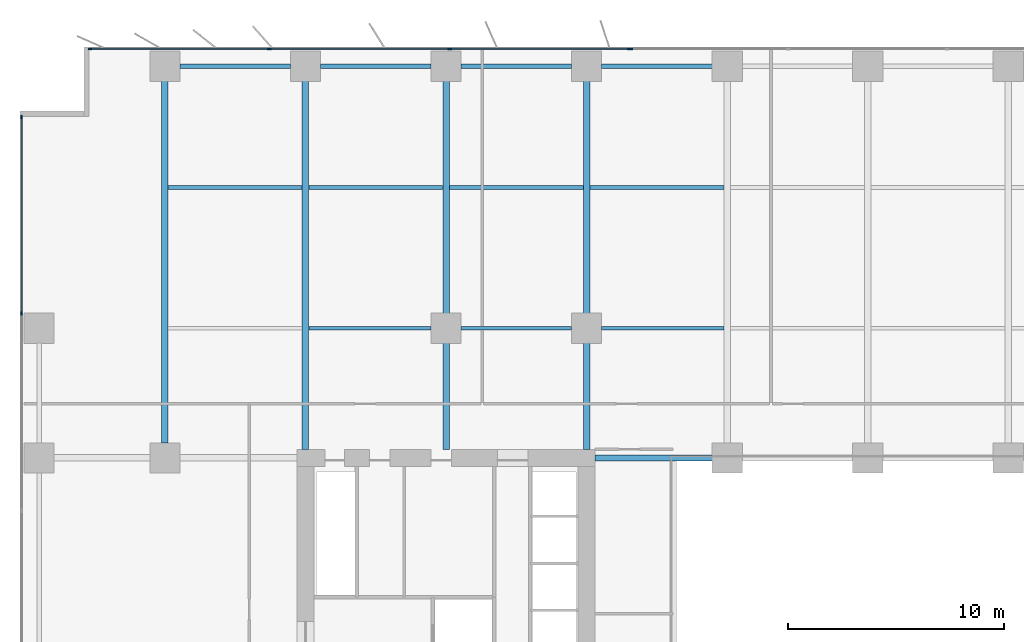
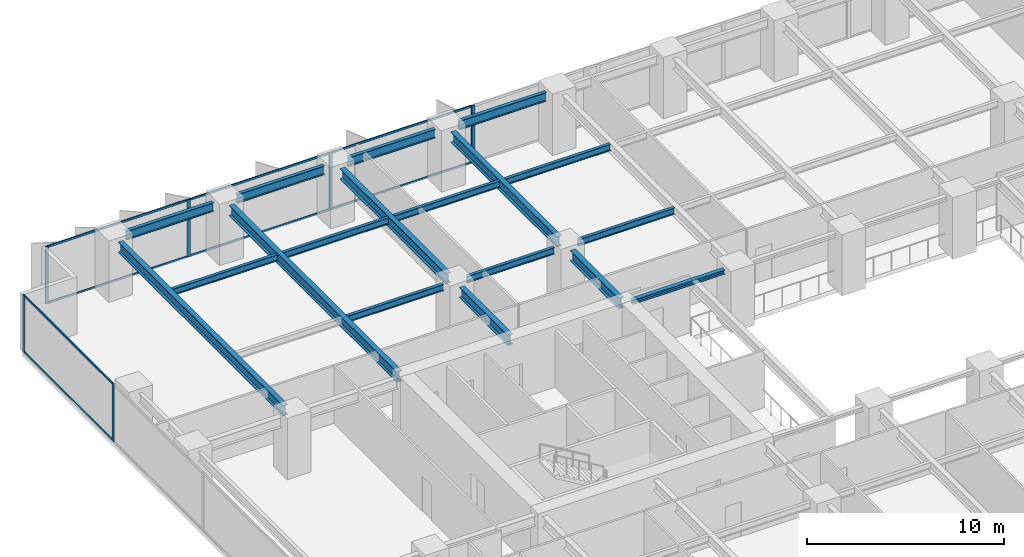
# One storey, part 7 of 20: 18 beams, 15 members, 3 elements without a shape of their own.
"""IFC4 building model written with IfcOpenShell, lengths in metres."""

from ifc_helpers import new_model, si_unit, direction, frame, origin, origin_2d, place, context, subcontext, project, spatial, rectangle, i_section, extrude, material, layer, layer_set, material_profile, profile_set, type_object, element, aggregate, save


model = new_model("IFC4")

# Units and contexts
model_context = context("Model", 3, precision=1e-05, world=origin(), true_north=direction((0.0, 1.0)))
body_context = subcontext(model_context, "Body", "Model", "MODEL_VIEW")
ifc_project = project(units=[si_unit("LENGTHUNIT", "METRE"), si_unit("AREAUNIT", "SQUARE_METRE"), si_unit("VOLUMEUNIT", "CUBIC_METRE"), si_unit("PLANEANGLEUNIT", "RADIAN"), si_unit("MASSUNIT", "GRAM", prefix="KILO")], contexts=[model_context])

# Site, building, storey
site_placement = place(None, origin())
site = spatial("IfcSite", under=ifc_project, at=site_placement, CompositionType="ELEMENT")
building_placement = place(site_placement, origin())
building = spatial("IfcBuilding", under=site, at=building_placement, Name="Putna Gate Headquarters", CompositionType="ELEMENT")
storey_placement = place(building_placement, frame((0.0, 0.0, 62.0)))
storey = spatial("IfcBuildingStorey", under=building, at=storey_placement, Name="L14", CompositionType="ELEMENT", Elevation=62.0)

# Beams
ifc_material_1 = material(Name="Steel S355J2", Category="steel")
ifc_material_profile_1 = material_profile(ifc_material_1, i_section(OverallWidth=0.260009765625, OverallDepth=0.260009765625, WebThickness=0.010009765625, FlangeThickness=0.017578125, at=origin_2d()), Name="Steel S355J2")
ifc_profile_set_1 = profile_set([ifc_material_profile_1], Name="Steel S355J2")
beam_type_1 = type_object("IfcBeamType", Name="BM-ATRIUM-HEB260", PredefinedType="BEAM", material=ifc_profile_set_1)
beam_1_placement = place(storey_placement, frame((26.385009765625, 33.0, 3.419921875), z_axis=(1.0, 0.0, 0.0), x_axis=(0.0, 1.0, 0.0)))
element("IfcBeam", 1, at=beam_1_placement, inside=storey, type_object=beam_type_1, Name="L14 Atrium Edge Beam AN1", PredefinedType="BEAM", context=body_context, shape_type="SweptSolid", body=[
    extrude(i_section(OverallWidth=0.260009765625, OverallDepth=0.260009765625, WebThickness=0.010009765625, FlangeThickness=0.017578125, at=origin_2d()), origin(), (0.0, 0.0, 1.0), 5.427001953125),
])
ifc_material_profile_2 = material_profile(ifc_material_1, i_section(OverallWidth=0.300048828125, OverallDepth=0.64990234375, WebThickness=0.01611328125, FlangeThickness=0.031005859375, at=origin_2d()), Name="Steel S355J2")
ifc_profile_set_2 = profile_set([ifc_material_profile_2], Name="Steel S355J2")
beam_type_2 = type_object("IfcBeamType", Name="BM-GIRD-Z1-HEB650", PredefinedType="USERDEFINED", material=ifc_profile_set_2)
beam_2_placement = place(storey_placement, frame((6.5, 33.68798828125, 3.22509765625), z_axis=(0.0, 1.0, 0.0), x_axis=(-1.0, 0.0, 0.0)))
element("IfcBeam", 2, at=beam_2_placement, inside=storey, type_object=beam_type_2, Name="L14 North Primary Girder X6", ObjectType="GIRDER", PredefinedType="USERDEFINED", context=body_context, shape_type="SweptSolid", body=[
    extrude(i_section(OverallWidth=0.300048828125, OverallDepth=0.64990234375, WebThickness=0.01611328125, FlangeThickness=0.031005859375, at=origin_2d()), origin(), (0.0, 0.0, 1.0), 16.743896484375),
])
beam_3_placement = place(storey_placement, frame((13.0, 33.385009765625, 3.22509765625), z_axis=(0.0, 1.0, 0.0), x_axis=(-1.0, 0.0, 0.0)))
element("IfcBeam", 3, at=beam_3_placement, inside=storey, type_object=beam_type_2, Name="L14 North Primary Girder X13", ObjectType="GIRDER", PredefinedType="USERDEFINED", context=body_context, shape_type="SweptSolid", body=[
    extrude(i_section(OverallWidth=0.300048828125, OverallDepth=0.64990234375, WebThickness=0.01611328125, FlangeThickness=0.031005859375, at=origin_2d()), origin(), (0.0, 0.0, 1.0), 17.046875),
])
beam_4_placement = place(storey_placement, frame((19.5, 33.385009765625, 3.22509765625), z_axis=(0.0, 1.0, 0.0), x_axis=(-1.0, 0.0, 0.0)))
element("IfcBeam", 4, at=beam_4_placement, inside=storey, type_object=beam_type_2, Name="L14 North Primary Girder X19-1", ObjectType="GIRDER", PredefinedType="USERDEFINED", context=body_context, shape_type="SweptSolid", body=[
    extrude(i_section(OverallWidth=0.300048828125, OverallDepth=0.64990234375, WebThickness=0.01611328125, FlangeThickness=0.031005859375, at=origin_2d()), origin(), (0.0, 0.0, 1.0), 4.927001953125),
])
beam_5_placement = place(storey_placement, frame((19.5, 39.68798828125, 3.22509765625), z_axis=(0.0, 1.0, 0.0), x_axis=(-1.0, 0.0, 0.0)))
element("IfcBeam", 5, at=beam_5_placement, inside=storey, type_object=beam_type_2, Name="L14 North Primary Girder X19-2", ObjectType="GIRDER", PredefinedType="USERDEFINED", context=body_context, shape_type="SweptSolid", body=[
    extrude(i_section(OverallWidth=0.300048828125, OverallDepth=0.64990234375, WebThickness=0.01611328125, FlangeThickness=0.031005859375, at=origin_2d()), origin(), (0.0, 0.0, 1.0), 10.743896484375),
])
beam_6_placement = place(storey_placement, frame((26.0, 33.385009765625, 3.22509765625), z_axis=(0.0, 1.0, 0.0), x_axis=(-1.0, 0.0, 0.0)))
element("IfcBeam", 6, at=beam_6_placement, inside=storey, type_object=beam_type_2, Name="L14 North Primary Girder X26-1", ObjectType="GIRDER", PredefinedType="USERDEFINED", context=body_context, shape_type="SweptSolid", body=[
    extrude(i_section(OverallWidth=0.300048828125, OverallDepth=0.64990234375, WebThickness=0.01611328125, FlangeThickness=0.031005859375, at=origin_2d()), origin(), (0.0, 0.0, 1.0), 4.927001953125),
])
beam_7_placement = place(storey_placement, frame((26.0, 39.68798828125, 3.22509765625), z_axis=(0.0, 1.0, 0.0), x_axis=(-1.0, 0.0, 0.0)))
element("IfcBeam", 7, at=beam_7_placement, inside=storey, type_object=beam_type_2, Name="L14 North Primary Girder X26-2", ObjectType="GIRDER", PredefinedType="USERDEFINED", context=body_context, shape_type="SweptSolid", body=[
    extrude(i_section(OverallWidth=0.300048828125, OverallDepth=0.64990234375, WebThickness=0.01611328125, FlangeThickness=0.031005859375, at=origin_2d()), origin(), (0.0, 0.0, 1.0), 10.743896484375),
])
ifc_material_profile_3 = material_profile(ifc_material_1, i_section(OverallWidth=0.179931640625, OverallDepth=0.39990234375, WebThickness=0.008544921875, FlangeThickness=0.013427734375, at=origin_2d()), Name="Steel S355J2")
ifc_profile_set_3 = profile_set([ifc_material_profile_3], Name="Steel S355J2")
beam_type_3 = type_object("IfcBeamType", Name="BM-SEC-Z1-IPE400", PredefinedType="BEAM", material=ifc_profile_set_3)
beam_8_placement = place(storey_placement, frame((6.654052734375, 45.5, 3.35009765625), z_axis=(1.0, 0.0, 0.0), x_axis=(0.0, 1.0, 0.0)))
element("IfcBeam", 8, at=beam_8_placement, inside=storey, type_object=beam_type_3, Name="L14 North Secondary Beam 1", PredefinedType="BEAM", context=body_context, shape_type="SweptSolid", body=[
    extrude(i_section(OverallWidth=0.179931640625, OverallDepth=0.39990234375, WebThickness=0.008544921875, FlangeThickness=0.013427734375, at=origin_2d()), origin(), (0.0, 0.0, 1.0), 6.19189453125),
])
beam_9_placement = place(storey_placement, frame((13.154052734375, 39.0, 3.35009765625), z_axis=(1.0, 0.0, 0.0), x_axis=(0.0, 1.0, 0.0)))
element("IfcBeam", 9, at=beam_9_placement, inside=storey, type_object=beam_type_3, Name="L14 North Secondary Beam 2", PredefinedType="BEAM", context=body_context, shape_type="SweptSolid", body=[
    extrude(i_section(OverallWidth=0.179931640625, OverallDepth=0.39990234375, WebThickness=0.008544921875, FlangeThickness=0.013427734375, at=origin_2d()), origin(), (0.0, 0.0, 1.0), 5.657958984375),
])
beam_10_placement = place(storey_placement, frame((13.154052734375, 45.5, 3.35009765625), z_axis=(1.0, 0.0, 0.0), x_axis=(0.0, 1.0, 0.0)))
element("IfcBeam", 10, at=beam_10_placement, inside=storey, type_object=beam_type_3, Name="L14 North Secondary Beam 2", PredefinedType="BEAM", context=body_context, shape_type="SweptSolid", body=[
    extrude(i_section(OverallWidth=0.179931640625, OverallDepth=0.39990234375, WebThickness=0.008544921875, FlangeThickness=0.013427734375, at=origin_2d()), origin(), (0.0, 0.0, 1.0), 6.19189453125),
])
beam_11_placement = place(storey_placement, frame((20.18798828125, 39.0, 3.35009765625), z_axis=(1.0, 0.0, 0.0), x_axis=(0.0, 1.0, 0.0)))
element("IfcBeam", 11, at=beam_11_placement, inside=storey, type_object=beam_type_3, Name="L14 North Secondary Beam 3", PredefinedType="BEAM", context=body_context, shape_type="SweptSolid", body=[
    extrude(i_section(OverallWidth=0.179931640625, OverallDepth=0.39990234375, WebThickness=0.008544921875, FlangeThickness=0.013427734375, at=origin_2d()), origin(), (0.0, 0.0, 1.0), 5.1240234375),
])
beam_12_placement = place(storey_placement, frame((19.654052734375, 45.5, 3.35009765625), z_axis=(1.0, 0.0, 0.0), x_axis=(0.0, 1.0, 0.0)))
element("IfcBeam", 12, at=beam_12_placement, inside=storey, type_object=beam_type_3, Name="L14 North Secondary Beam 3", PredefinedType="BEAM", context=body_context, shape_type="SweptSolid", body=[
    extrude(i_section(OverallWidth=0.179931640625, OverallDepth=0.39990234375, WebThickness=0.008544921875, FlangeThickness=0.013427734375, at=origin_2d()), origin(), (0.0, 0.0, 1.0), 6.19189453125),
])
beam_13_placement = place(storey_placement, frame((26.68798828125, 39.0, 3.35009765625), z_axis=(1.0, 0.0, 0.0), x_axis=(0.0, 1.0, 0.0)))
element("IfcBeam", 13, at=beam_13_placement, inside=storey, type_object=beam_type_3, Name="L14 North Secondary Beam 4", PredefinedType="BEAM", context=body_context, shape_type="SweptSolid", body=[
    extrude(i_section(OverallWidth=0.179931640625, OverallDepth=0.39990234375, WebThickness=0.008544921875, FlangeThickness=0.013427734375, at=origin_2d()), origin(), (0.0, 0.0, 1.0), 5.657958984375),
])
beam_14_placement = place(storey_placement, frame((26.154052734375, 45.5, 3.35009765625), z_axis=(1.0, 0.0, 0.0), x_axis=(0.0, 1.0, 0.0)))
element("IfcBeam", 14, at=beam_14_placement, inside=storey, type_object=beam_type_3, Name="L14 North Secondary Beam 4", PredefinedType="BEAM", context=body_context, shape_type="SweptSolid", body=[
    extrude(i_section(OverallWidth=0.179931640625, OverallDepth=0.39990234375, WebThickness=0.008544921875, FlangeThickness=0.013427734375, at=origin_2d()), origin(), (0.0, 0.0, 1.0), 6.19189453125),
])
ifc_material_profile_4 = material_profile(ifc_material_1, i_section(OverallWidth=0.2099609375, OverallDepth=0.550048828125, WebThickness=0.010986328125, FlangeThickness=0.01708984375, at=origin_2d()), Name="Steel S355J2")
ifc_profile_set_4 = profile_set([ifc_material_profile_4], Name="Steel S355J2")
beam_type_4 = type_object("IfcBeamType", Name="BM-SPAN-Z1-IPE550", PredefinedType="SPANDREL", material=ifc_profile_set_4)
for number, where, z_axis, x_axis, name in (
    (15, (7.18798828125, 51.1201171875, 3.27490234375), (1.0, 0.0, 0.0), (0.0, 1.0, 0.0), "L14 N Perimeter Spandrel 1"),
    (16, (13.68798828125, 51.1201171875, 3.27490234375), (1.0, 0.0, 0.0), (0.0, 1.0, 0.0), "L14 N Perimeter Spandrel 2"),
    (17, (20.18798828125, 51.1201171875, 3.27490234375), (1.0, 0.0, 0.0), (0.0, 1.0, 0.0), "L14 N Perimeter Spandrel 3"),
    (18, (26.68798828125, 51.1201171875, 3.27490234375), (1.0, 0.0, 0.0), (0.0, 1.0, 0.0), "L14 N Perimeter Spandrel 4"),
):
    element("IfcBeam", number, at=place(storey_placement, frame(where, z_axis=z_axis, x_axis=x_axis)), inside=storey, type_object=beam_type_4, Name=name, PredefinedType="SPANDREL", context=body_context, shape_type="SweptSolid", body=[
        extrude(i_section(OverallWidth=0.2099609375, OverallDepth=0.550048828125, WebThickness=0.010986328125, FlangeThickness=0.01708984375, at=origin_2d()), origin(), (0.0, 0.0, 1.0), 5.1240234375),
    ])

# Curtain wall, members
ifc_material_2 = material(Name="Anodised bronze aluminium curtain wall", Category="aluminium")
ifc_layer_1 = layer(ifc_material_2, 0.179931640625)
ifc_layer_set_1 = layer_set([ifc_layer_1], Name="Anodised bronze aluminium curtain wall")
curtain_wall_type_1 = type_object("IfcCurtainWallType", Name="CW-SYS-Z1", PredefinedType="USERDEFINED", material=ifc_layer_set_1)
curtain_wall_1_placement = place(storey_placement, origin())
curtain_wall_1 = element("IfcCurtainWall", 19, at=curtain_wall_1_placement, inside=storey, type_object=curtain_wall_type_1, Name="L14 North West Curtain Wall", ObjectType="STICK CURTAIN WALL", PredefinedType="USERDEFINED")
ifc_material_3 = material(Name="Anodised bronze aluminium EN AW-6060", Category="aluminium")
ifc_material_profile_5 = material_profile(ifc_material_3, rectangle(XDim=0.070068359375, YDim=0.179931640625, at=origin_2d()), Name="Anodised bronze aluminium EN AW-6060")
ifc_profile_set_5 = profile_set([ifc_material_profile_5], Name="Anodised bronze aluminium EN AW-6060")
member_type_1 = type_object("IfcMemberType", Name="MULL-CWM-1", PredefinedType="MULLION", material=ifc_profile_set_5)
member_1_placement = place(storey_placement, frame((3.034912109375, 51.919921875, 0.0), z_axis=(0.0, 0.0, 1.0), x_axis=(0.0, 1.0, 0.0)))
member_1 = element("IfcMember", 20, at=member_1_placement, type_object=member_type_1, Name="CWS-1 mullion 1", PredefinedType="MULLION", context=body_context, shape_type="SweptSolid", body=[
    extrude(rectangle(XDim=0.070068359375, YDim=0.179931640625, at=origin_2d()), origin(), (0.0, 0.0, 1.0), 3.550048828125),
])
member_2_placement = place(storey_placement, frame((11.333251953125, 51.919921875, 0.0), z_axis=(0.0, 0.0, 1.0), x_axis=(0.0, 1.0, 0.0)))
member_2 = element("IfcMember", 21, at=member_2_placement, type_object=member_type_1, Name="CWS-1 mullion 2", PredefinedType="MULLION", context=body_context, shape_type="SweptSolid", body=[
    extrude(rectangle(XDim=0.070068359375, YDim=0.179931640625, at=origin_2d()), origin(), (0.0, 0.0, 1.0), 3.550048828125),
])
member_3_placement = place(storey_placement, frame((19.666748046875, 51.919921875, 0.0), z_axis=(0.0, 0.0, 1.0), x_axis=(0.0, 1.0, 0.0)))
member_3 = element("IfcMember", 22, at=member_3_placement, type_object=member_type_1, Name="CWS-1 mullion 3", PredefinedType="MULLION", context=body_context, shape_type="SweptSolid", body=[
    extrude(rectangle(XDim=0.070068359375, YDim=0.179931640625, at=origin_2d()), origin(), (0.0, 0.0, 1.0), 3.550048828125),
])
member_4_placement = place(storey_placement, frame((27.965087890625, 51.919921875, 0.0), z_axis=(0.0, 0.0, 1.0), x_axis=(0.0, 1.0, 0.0)))
member_4 = element("IfcMember", 23, at=member_4_placement, type_object=member_type_1, Name="CWS-1 mullion 4", PredefinedType="MULLION", context=body_context, shape_type="SweptSolid", body=[
    extrude(rectangle(XDim=0.070068359375, YDim=0.179931640625, at=origin_2d()), origin(), (0.0, 0.0, 1.0), 3.550048828125),
])

curtain_wall_2_placement = place(storey_placement, origin())
curtain_wall_2 = element("IfcCurtainWall", 24, at=curtain_wall_2_placement, inside=storey, type_object=curtain_wall_type_1, Name="L14 West Curtain Wall", ObjectType="STICK CURTAIN WALL", PredefinedType="USERDEFINED")
member_5_placement = place(storey_placement, frame((-0.1201171875, 39.679931640625, 0.0), z_axis=(0.0, 0.0, 1.0), x_axis=(-1.0, 0.0, 0.0)))
member_5 = element("IfcMember", 25, at=member_5_placement, type_object=member_type_1, Name="CWS-1 mullion 5", PredefinedType="MULLION", context=body_context, shape_type="SweptSolid", body=[
    extrude(rectangle(XDim=0.070068359375, YDim=0.179931640625, at=origin_2d()), origin(), (0.0, 0.0, 1.0), 3.550048828125),
])
member_6_placement = place(storey_placement, frame((-0.1201171875, 48.764892578125, 0.0), z_axis=(0.0, 0.0, 1.0), x_axis=(-1.0, 0.0, 0.0)))
member_6 = element("IfcMember", 26, at=member_6_placement, type_object=member_type_1, Name="CWS-1 mullion 6", PredefinedType="MULLION", context=body_context, shape_type="SweptSolid", body=[
    extrude(rectangle(XDim=0.070068359375, YDim=0.179931640625, at=origin_2d()), origin(), (0.0, 0.0, 1.0), 3.550048828125),
])

# Curtain wall, member
ifc_layer_2 = layer(ifc_material_2, 0.179931640625)
ifc_layer_set_2 = layer_set([ifc_layer_2], Name="Anodised bronze aluminium curtain wall")
curtain_wall_type_2 = type_object("IfcCurtainWallType", Name="CW-SYS-ATR", PredefinedType="USERDEFINED", material=ifc_layer_set_2)
curtain_wall_3_placement = place(storey_placement, origin())
curtain_wall_3 = element("IfcCurtainWall", 27, at=curtain_wall_3_placement, inside=storey, type_object=curtain_wall_type_2, Name="L14 North Atrium Clear Glazing", ObjectType="ATRIUM GLAZING", PredefinedType="USERDEFINED")
ifc_material_profile_6 = material_profile(ifc_material_3, rectangle(XDim=0.070068359375, YDim=0.179931640625, at=origin_2d()), Name="Anodised bronze aluminium EN AW-6060")
ifc_profile_set_6 = profile_set([ifc_material_profile_6], Name="Anodised bronze aluminium EN AW-6060")
member_type_2 = type_object("IfcMemberType", Name="MULL-CWM-AT", PredefinedType="MULLION", material=ifc_profile_set_6)
member_7_placement = place(storey_placement, frame((28.034912109375, 51.919921875, 0.0), z_axis=(0.0, 0.0, 1.0), x_axis=(0.0, 1.0, 0.0)))
member_7 = element("IfcMember", 28, at=member_7_placement, type_object=member_type_2, Name="CWS-AT mullion 1", PredefinedType="MULLION", context=body_context, shape_type="SweptSolid", body=[
    extrude(rectangle(XDim=0.070068359375, YDim=0.179931640625, at=origin_2d()), origin(), (0.0, 0.0, 1.0), 3.550048828125),
])
aggregate(curtain_wall_3, [member_7])

# Member
ifc_material_profile_7 = material_profile(ifc_material_3, rectangle(XDim=0.06494140625, YDim=0.1201171875, at=origin_2d()), Name="Anodised bronze aluminium EN AW-6060")
ifc_profile_set_7 = profile_set([ifc_material_profile_7], Name="Anodised bronze aluminium EN AW-6060")
member_type_3 = type_object("IfcMemberType", Name="TRAN-CWT-1", PredefinedType="USERDEFINED", material=ifc_profile_set_7)
member_8_placement = place(storey_placement, frame((3.070068359375, 51.919921875, 0.032470703125), z_axis=(1.0, 0.0, 0.0), x_axis=(0.0, 1.0, 0.0)))
member_8 = element("IfcMember", 29, at=member_8_placement, type_object=member_type_3, Name="CWS-1 transom 1.1", ObjectType="TRANSOM", PredefinedType="USERDEFINED", context=body_context, shape_type="SweptSolid", body=[
    extrude(rectangle(XDim=0.06494140625, YDim=0.1201171875, at=origin_2d()), origin(), (0.0, 0.0, 1.0), 8.228271484375),
])

member_9_placement = place(storey_placement, frame((3.070068359375, 51.919921875, 3.517578125), z_axis=(1.0, 0.0, 0.0), x_axis=(0.0, 1.0, 0.0)))
member_9 = element("IfcMember", 30, at=member_9_placement, type_object=member_type_3, Name="CWS-1 transom 1.2", ObjectType="TRANSOM", PredefinedType="USERDEFINED", context=body_context, shape_type="SweptSolid", body=[
    extrude(rectangle(XDim=0.06494140625, YDim=0.1201171875, at=origin_2d()), origin(), (0.0, 0.0, 1.0), 8.228271484375),
])

member_10_placement = place(storey_placement, frame((11.368408203125, 51.919921875, 0.032470703125), z_axis=(1.0, 0.0, 0.0), x_axis=(0.0, 1.0, 0.0)))
member_10 = element("IfcMember", 31, at=member_10_placement, type_object=member_type_3, Name="CWS-1 transom 2.1", ObjectType="TRANSOM", PredefinedType="USERDEFINED", context=body_context, shape_type="SweptSolid", body=[
    extrude(rectangle(XDim=0.06494140625, YDim=0.1201171875, at=origin_2d()), origin(), (0.0, 0.0, 1.0), 8.26318359375),
])

member_11_placement = place(storey_placement, frame((11.368408203125, 51.919921875, 3.517578125), z_axis=(1.0, 0.0, 0.0), x_axis=(0.0, 1.0, 0.0)))
member_11 = element("IfcMember", 32, at=member_11_placement, type_object=member_type_3, Name="CWS-1 transom 2.2", ObjectType="TRANSOM", PredefinedType="USERDEFINED", context=body_context, shape_type="SweptSolid", body=[
    extrude(rectangle(XDim=0.06494140625, YDim=0.1201171875, at=origin_2d()), origin(), (0.0, 0.0, 1.0), 8.26318359375),
])

member_12_placement = place(storey_placement, frame((19.70166015625, 51.919921875, 0.032470703125), z_axis=(1.0, 0.0, 0.0), x_axis=(0.0, 1.0, 0.0)))
member_12 = element("IfcMember", 33, at=member_12_placement, type_object=member_type_3, Name="CWS-1 transom 3.1", ObjectType="TRANSOM", PredefinedType="USERDEFINED", context=body_context, shape_type="SweptSolid", body=[
    extrude(rectangle(XDim=0.06494140625, YDim=0.1201171875, at=origin_2d()), origin(), (0.0, 0.0, 1.0), 8.228271484375),
])

member_13_placement = place(storey_placement, frame((19.70166015625, 51.919921875, 3.517578125), z_axis=(1.0, 0.0, 0.0), x_axis=(0.0, 1.0, 0.0)))
member_13 = element("IfcMember", 34, at=member_13_placement, type_object=member_type_3, Name="CWS-1 transom 3.2", ObjectType="TRANSOM", PredefinedType="USERDEFINED", context=body_context, shape_type="SweptSolid", body=[
    extrude(rectangle(XDim=0.06494140625, YDim=0.1201171875, at=origin_2d()), origin(), (0.0, 0.0, 1.0), 8.228271484375),
])

aggregate(curtain_wall_1, [member_1, member_2, member_3, member_4, member_8, member_9, member_10, member_11, member_12, member_13])

member_14_placement = place(storey_placement, frame((-0.1201171875, 39.715087890625, 0.032470703125), z_axis=(0.0, 1.0, 0.0), x_axis=(-1.0, 0.0, 0.0)))
member_14 = element("IfcMember", 35, at=member_14_placement, type_object=member_type_3, Name="CWS-1 transom 5.1", ObjectType="TRANSOM", PredefinedType="USERDEFINED", context=body_context, shape_type="SweptSolid", body=[
    extrude(rectangle(XDim=0.06494140625, YDim=0.1201171875, at=origin_2d()), origin(), (0.0, 0.0, 1.0), 9.014892578125),
])

member_15_placement = place(storey_placement, frame((-0.1201171875, 39.715087890625, 3.517578125), z_axis=(0.0, 1.0, 0.0), x_axis=(-1.0, 0.0, 0.0)))
member_15 = element("IfcMember", 36, at=member_15_placement, type_object=member_type_3, Name="CWS-1 transom 5.2", ObjectType="TRANSOM", PredefinedType="USERDEFINED", context=body_context, shape_type="SweptSolid", body=[
    extrude(rectangle(XDim=0.06494140625, YDim=0.1201171875, at=origin_2d()), origin(), (0.0, 0.0, 1.0), 9.014892578125),
])

aggregate(curtain_wall_2, [member_5, member_6, member_14, member_15])

save(model, "model.ifc")
